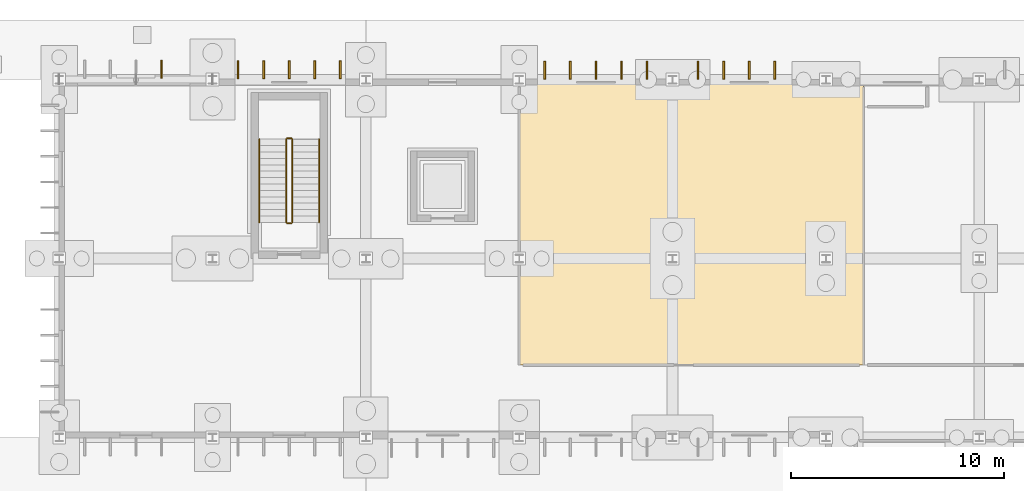
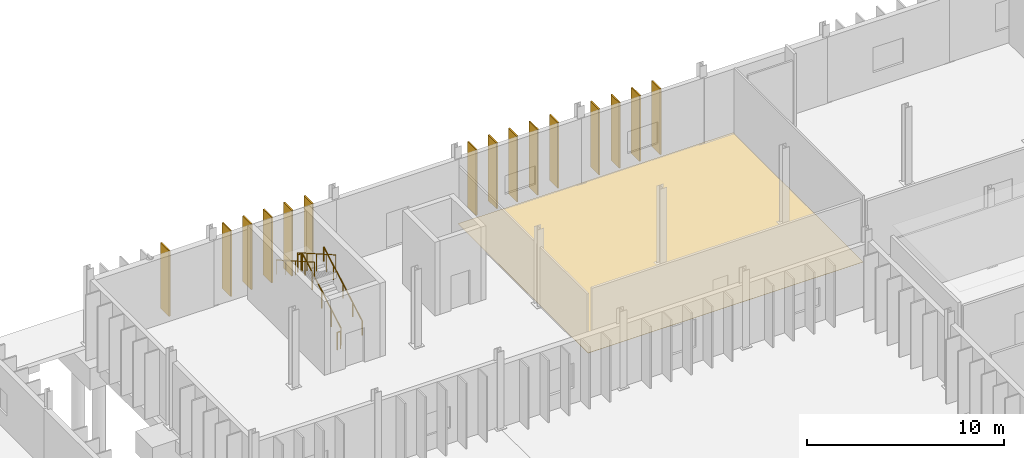
# One storey, part 113 of 118: 15 shading devices, 6 railings, 1 covering.
"""IFC4 building model written with IfcOpenShell, lengths in metres."""

from ifc_helpers import new_model, si_unit, direction, frame, origin, origin_2d, place, context, subcontext, project, spatial, polyline, rectangle, circle, outline, extrude, material, layer, layer_set, type_object, element, save


model = new_model("IFC4")

# Units and contexts
model_context = context("Model", 3, precision=1e-05, world=origin(), true_north=direction((0.0, 1.0)))
body_context = subcontext(model_context, "Body", "Model", "MODEL_VIEW")
ifc_project = project(units=[si_unit("LENGTHUNIT", "METRE"), si_unit("AREAUNIT", "SQUARE_METRE"), si_unit("VOLUMEUNIT", "CUBIC_METRE"), si_unit("PLANEANGLEUNIT", "RADIAN"), si_unit("MASSUNIT", "GRAM", prefix="KILO")], contexts=[model_context])

# Site, building, storey
site_placement = place(None, origin())
site = spatial("IfcSite", under=ifc_project, at=site_placement, CompositionType="ELEMENT")
building_placement = place(site_placement, origin())
building = spatial("IfcBuilding", under=site, at=building_placement, Name="Qelthora Terrace Specialist Clinic", CompositionType="ELEMENT")
storey_placement = place(building_placement, origin())
storey = spatial("IfcBuildingStorey", under=building, at=storey_placement, Name="L00", CompositionType="ELEMENT", Elevation=0.0)

# Covering
ifc_material_1 = material(Name="Antimicrobial clinical linoleum flooring", Category="other")
ifc_layer = layer(ifc_material_1, 0.011962890625)
ifc_layer_set = layer_set([ifc_layer], Name="Antimicrobial clinical linoleum flooring")
covering_type = type_object("IfcCoveringType", Name="COV-FLR-LINO-12", PredefinedType="FLOORING", material=ifc_layer_set)
covering_placement = place(storey_placement, origin())
element("IfcCovering", 1, at=covering_placement, inside=storey, type_object=covering_type, Name="Medical Library and Compact Archive Stack L00-61 resilient linoleum flooring", PredefinedType="FLOORING", context=body_context, shape_type="SweptSolid", body=[
    extrude(outline(polyline([(79.199951171875, 95.800048828125), (79.199951171875, 109.050048828125), (95.362548828125, 109.050048828125), (95.362548828125, 95.800048828125), (79.199951171875, 95.800048828125)])), origin(), (0.0, 0.0, 1.0), 0.011962890625),
])

# Railings
ifc_material_2 = material(Name="Steel S355", Category="steel")
railing_type_1 = type_object("IfcRailingType", Name="RAL-GD-1100-S355", PredefinedType="GUARDRAIL", material=ifc_material_2)
railing_1_placement = place(storey_placement, frame((68.550048828125, 102.5, 0.17138671875)))
element("IfcRailing", 2, at=railing_1_placement, inside=storey, type_object=railing_type_1, Name="L00 ST-07 stair guard 1", PredefinedType="GUARDRAIL", context=body_context, shape_type="SweptSolid", body=[
    extrude(circle(Radius=0.02392578125, at=origin_2d()), frame((0.0, 0.0, 1.076171875), z_axis=(0.0, 0.868243142124, 0.496138938357), x_axis=(-1.0, 0.0, 0.0)), (0.0, 0.0, 1.0), 4.49169921875),
    extrude(circle(Radius=0.02099609375, at=origin_2d()), origin(), (0.0, 0.0, 1.0), 1.052001953125),
    extrude(circle(Radius=0.02099609375, at=origin_2d()), frame((0.0, 0.97509765625, 0.55712890625)), (0.0, 0.0, 1.0), 1.052001953125),
    extrude(circle(Radius=0.02099609375, at=origin_2d()), frame((0.0, 1.949951171875, 1.1142578125)), (0.0, 0.0, 1.0), 1.052001953125),
    extrude(circle(Radius=0.02099609375, at=origin_2d()), frame((0.0, 2.9248046875, 1.67138671875)), (0.0, 0.0, 1.0), 1.052001953125),
    extrude(circle(Radius=0.02099609375, at=origin_2d()), frame((0.0, 3.89990234375, 2.228515625)), (0.0, 0.0, 1.0), 1.052001953125),
])
railing_2_placement = place(storey_placement, frame((68.5, 106.449951171875, 2.39990234375)))
element("IfcRailing", 3, at=railing_2_placement, inside=storey, type_object=railing_type_1, Name="L00 ST-07 stair guard 2", PredefinedType="GUARDRAIL", context=body_context, shape_type="SweptSolid", body=[
    extrude(circle(Radius=0.02392578125, at=origin_2d()), frame((0.0, 0.0, 1.076171875), z_axis=(-1.0, 0.0, 0.0), x_axis=(0.0, -1.0, 0.0)), (0.0, 0.0, 1.0), 0.199951171875),
    extrude(circle(Radius=0.02099609375, at=origin_2d()), origin(), (0.0, 0.0, 1.0), 1.052001953125),
    extrude(circle(Radius=0.02099609375, at=origin_2d()), frame((-0.199951171875, 0.0, 0.0)), (0.0, 0.0, 1.0), 1.052001953125),
])
railing_3_placement = place(storey_placement, frame((68.25, 106.39990234375, 2.571533203125)))
element("IfcRailing", 4, at=railing_3_placement, inside=storey, type_object=railing_type_1, Name="L00 ST-07 stair guard 3", PredefinedType="GUARDRAIL", context=body_context, shape_type="SweptSolid", body=[
    extrude(circle(Radius=0.02392578125, at=origin_2d()), frame((0.0, 0.0, 1.076171875), z_axis=(0.0, -0.868243142124, 0.496138938357), x_axis=(1.0, 0.0, 0.0)), (0.0, 0.0, 1.0), 4.49169921875),
    extrude(circle(Radius=0.02099609375, at=origin_2d()), origin(), (0.0, 0.0, 1.0), 1.052001953125),
    extrude(circle(Radius=0.02099609375, at=origin_2d()), frame((0.0, -0.97509765625, 0.55712890625)), (0.0, 0.0, 1.0), 1.052001953125),
    extrude(circle(Radius=0.02099609375, at=origin_2d()), frame((0.0, -1.949951171875, 1.1142578125)), (0.0, 0.0, 1.0), 1.052001953125),
    extrude(circle(Radius=0.02099609375, at=origin_2d()), frame((0.0, -2.9248046875, 1.67138671875)), (0.0, 0.0, 1.0), 1.052001953125),
    extrude(circle(Radius=0.02099609375, at=origin_2d()), frame((0.0, -3.89990234375, 2.228515625)), (0.0, 0.0, 1.0), 1.052001953125),
])
railing_4_placement = place(storey_placement, frame((68.5, 102.449951171875, 0.0)))
element("IfcRailing", 5, at=railing_4_placement, inside=storey, type_object=railing_type_1, Name="L00 ST-07 stair guard 4", PredefinedType="GUARDRAIL", context=body_context, shape_type="SweptSolid", body=[
    extrude(circle(Radius=0.02392578125, at=origin_2d()), frame((0.0, 0.0, 1.076171875), z_axis=(-1.0, 0.0, 0.0), x_axis=(0.0, -1.0, 0.0)), (0.0, 0.0, 1.0), 0.199951171875),
    extrude(circle(Radius=0.02099609375, at=origin_2d()), origin(), (0.0, 0.0, 1.0), 1.052001953125),
    extrude(circle(Radius=0.02099609375, at=origin_2d()), frame((-0.199951171875, 0.0, 0.0)), (0.0, 0.0, 1.0), 1.052001953125),
])
railing_type_2 = type_object("IfcRailingType", Name="RAL-HR-900-S355", PredefinedType="HANDRAIL", material=ifc_material_2)
railing_5_placement = place(storey_placement, frame((69.800048828125, 102.5, 0.36083984375)))
element("IfcRailing", 6, at=railing_5_placement, inside=storey, type_object=railing_type_2, Name="L00 ST-07 stair handrail 1", PredefinedType="HANDRAIL", context=body_context, shape_type="SweptSolid", body=[
    extrude(circle(Radius=0.02392578125, at=origin_2d()), frame((0.0, 0.0, 0.8759765625), z_axis=(0.0, 0.868243142124, 0.496138938357), x_axis=(-1.0, 0.0, 0.0)), (0.0, 0.0, 1.0), 4.49169921875),
    extrude(circle(Radius=0.02099609375, at=origin_2d()), origin(), (0.0, 0.0, 1.0), 0.851806640625),
    extrude(circle(Radius=0.02099609375, at=origin_2d()), frame((0.0, 0.97509765625, 0.55712890625)), (0.0, 0.0, 1.0), 0.851806640625),
    extrude(circle(Radius=0.02099609375, at=origin_2d()), frame((0.0, 1.949951171875, 1.1142578125)), (0.0, 0.0, 1.0), 0.851806640625),
    extrude(circle(Radius=0.02099609375, at=origin_2d()), frame((0.0, 2.9248046875, 1.67138671875)), (0.0, 0.0, 1.0), 0.851806640625),
    extrude(circle(Radius=0.02099609375, at=origin_2d()), frame((0.0, 3.89990234375, 2.228515625)), (0.0, 0.0, 1.0), 0.851806640625),
])
railing_6_placement = place(storey_placement, frame((67.0, 106.39990234375, 2.7607421875)))
element("IfcRailing", 7, at=railing_6_placement, inside=storey, type_object=railing_type_2, Name="L00 ST-07 stair handrail 2", PredefinedType="HANDRAIL", context=body_context, shape_type="SweptSolid", body=[
    extrude(circle(Radius=0.02392578125, at=origin_2d()), frame((0.0, 0.0, 0.8759765625), z_axis=(0.0, -0.868219727965, 0.496179910892), x_axis=(1.0, 0.0, 0.0)), (0.0, 0.0, 1.0), 4.491943359375),
    extrude(circle(Radius=0.02099609375, at=origin_2d()), origin(), (0.0, 0.0, 1.0), 0.851806640625),
    extrude(circle(Radius=0.02099609375, at=origin_2d()), frame((0.0, -0.97509765625, 0.55712890625)), (0.0, 0.0, 1.0), 0.851806640625),
    extrude(circle(Radius=0.02099609375, at=origin_2d()), frame((0.0, -1.949951171875, 1.1142578125)), (0.0, 0.0, 1.0), 0.851806640625),
    extrude(circle(Radius=0.02099609375, at=origin_2d()), frame((0.0, -2.9248046875, 1.671630859375)), (0.0, 0.0, 1.0), 0.851806640625),
    extrude(circle(Radius=0.02099609375, at=origin_2d()), frame((0.0, -3.89990234375, 2.228759765625)), (0.0, 0.0, 1.0), 0.851806640625),
])

# Shading devices
ifc_material_3 = material(Name="Glulam timber GL28h", Category="wood")
shading_device_type = type_object("IfcShadingDeviceType", Name="SHD-FIN-850", PredefinedType="USERDEFINED", material=ifc_material_3)
for number, where, z_axis, x_axis, name in (
    (8, (62.39990234375, 109.695068359375, 0.0), (0.0, 0.0, 1.0), (0.0, 1.0, 0.0), "Exterior solar shading fin FIN-0274"),
    (9, (66.0, 109.6650390625, 0.0), (0.0, 0.0, 1.0), (0.0, 1.0, 0.0), "Exterior solar shading fin FIN-0275"),
    (10, (67.199951171875, 109.6650390625, 0.0), (0.0, 0.0, 1.0), (0.0, 1.0, 0.0), "Exterior solar shading fin FIN-0276"),
    (11, (68.39990234375, 109.6650390625, 0.0), (0.0, 0.0, 1.0), (0.0, 1.0, 0.0), "Exterior solar shading fin FIN-0277"),
    (12, (69.60009765625, 109.6650390625, 0.0), (0.0, 0.0, 1.0), (0.0, 1.0, 0.0), "Exterior solar shading fin FIN-0278"),
    (13, (70.800048828125, 109.6650390625, 0.0), (0.0, 0.0, 1.0), (0.0, 1.0, 0.0), "Exterior solar shading fin FIN-0279"),
    (14, (80.39990234375, 109.64501953125, 0.0), (0.0, 0.0, 1.0), (0.0, 1.0, 0.0), "Exterior solar shading fin FIN-0280"),
    (15, (81.60009765625, 109.64501953125, 0.0), (0.0, 0.0, 1.0), (0.0, 1.0, 0.0), "Exterior solar shading fin FIN-0281"),
    (16, (82.800048828125, 109.64501953125, 0.0), (0.0, 0.0, 1.0), (0.0, 1.0, 0.0), "Exterior solar shading fin FIN-0282"),
    (17, (84.0, 109.64501953125, 0.0), (0.0, 0.0, 1.0), (0.0, 1.0, 0.0), "Exterior solar shading fin FIN-0283"),
    (18, (85.199951171875, 109.64501953125, 0.0), (0.0, 0.0, 1.0), (0.0, 1.0, 0.0), "Exterior solar shading fin FIN-0284"),
    (19, (87.60009765625, 109.635009765625, 0.0), (0.0, 0.0, 1.0), (0.0, 1.0, 0.0), "Exterior solar shading fin FIN-0285"),
    (20, (88.800048828125, 109.635009765625, 0.0), (0.0, 0.0, 1.0), (0.0, 1.0, 0.0), "Exterior solar shading fin FIN-0286"),
    (21, (90.0, 109.635009765625, 0.0), (0.0, 0.0, 1.0), (0.0, 1.0, 0.0), "Exterior solar shading fin FIN-0287"),
    (22, (91.199951171875, 109.635009765625, 0.0), (0.0, 0.0, 1.0), (0.0, 1.0, 0.0), "Exterior solar shading fin FIN-0288"),
):
    element("IfcShadingDevice", number, at=place(storey_placement, frame(where, z_axis=z_axis, x_axis=x_axis)), inside=storey, type_object=shading_device_type, Name=name, ObjectType="FIN", PredefinedType="USERDEFINED", context=body_context, shape_type="SweptSolid", body=[
        extrude(rectangle(XDim=0.85009765625, YDim=0.080078125, at=origin_2d()), origin(), (0.0, 0.0, 1.0), 4.08203125),
    ])

save(model, "model.ifc")
